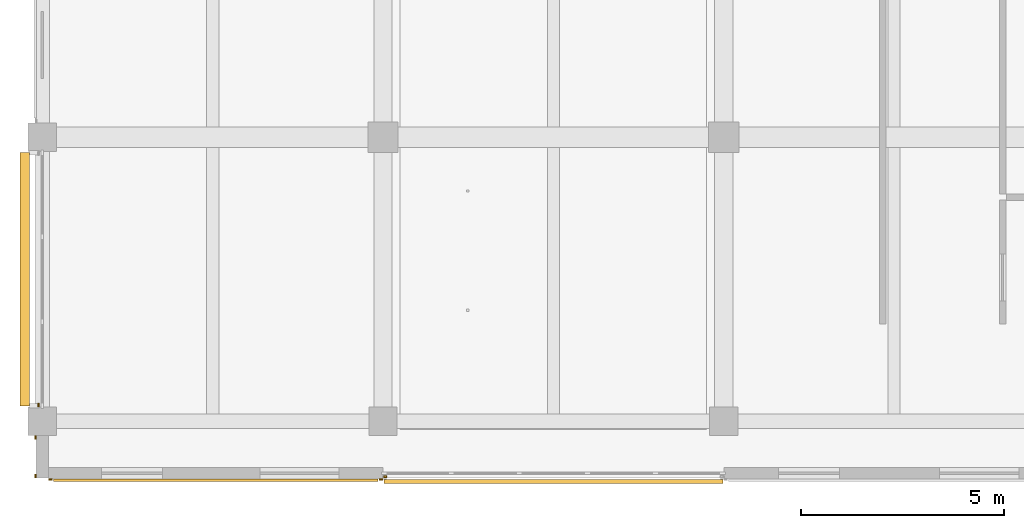
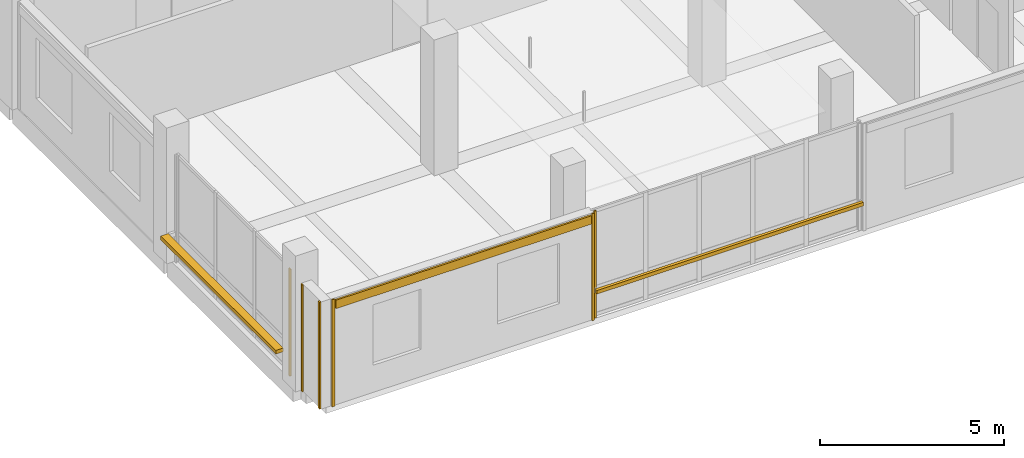
# One storey, part 22 of 35: 7 coverings, 2 shading devices.
"""IFC4 building model written with IfcOpenShell, lengths in metres."""

from ifc_helpers import new_model, si_unit, direction, frame, origin, origin_2d, place, context, subcontext, project, spatial, rectangle, extrude, material, layer, layer_set, type_object, element, save


model = new_model("IFC4")

# Units and contexts
model_context = context("Model", 3, precision=1e-05, world=origin(), true_north=direction((0.0, 1.0)))
body_context = subcontext(model_context, "Body", "Model", "MODEL_VIEW")
ifc_project = project(units=[si_unit("LENGTHUNIT", "METRE"), si_unit("AREAUNIT", "SQUARE_METRE"), si_unit("VOLUMEUNIT", "CUBIC_METRE"), si_unit("PLANEANGLEUNIT", "RADIAN"), si_unit("MASSUNIT", "GRAM", prefix="KILO")], contexts=[model_context])

# Site, building, storey
site_placement = place(None, origin())
site = spatial("IfcSite", under=ifc_project, at=site_placement, CompositionType="ELEMENT")
building_placement = place(site_placement, origin())
building = spatial("IfcBuilding", under=site, at=building_placement, Name="Telukmera Botanical Conservatory", CompositionType="ELEMENT")
storey_placement = place(building_placement, frame((0.0, 0.0, 46.5)))
storey = spatial("IfcBuildingStorey", under=building, at=storey_placement, Name="L10", CompositionType="ELEMENT", Elevation=46.5)

# Coverings
ifc_material_1 = material(Name="Granite-faced precast concrete C40/50", Category="masonry")
ifc_layer_1 = layer(ifc_material_1, 0.0400390625)
ifc_layer_set_1 = layer_set([ifc_layer_1], Name="Granite-faced precast concrete C40/50")
covering_type_1 = type_object("IfcCoveringType", Name="Granite Precast Column Pier Reveal Casing", PredefinedType="CLADDING", material=ifc_layer_set_1)
for number, where, z_axis, x_axis, name in (
    (1, (50.22998046875, 9.25, 0.0), (0.0, 0.0, 1.0), (0.0, 1.0, 0.0), "Granite Pier Reveal V4:L10:SWC L"),
    (2, (50.22998046875, 10.197998046875, 0.0), (0.0, 0.0, 1.0), (0.0, 1.0, 0.0), "Granite Pier Reveal V4:L10:SWC R"),
    (3, (50.60205078125, 9.159912109375, 0.0), (0.0, 0.0, 1.0), (1.0, 0.0, 0.0), "Granite Pier Reveal V4:L10:S1 L"),
    (4, (58.748046875, 9.159912109375, 0.0), (0.0, 0.0, 1.0), (1.0, 0.0, 0.0), "Granite Pier Reveal V4:L10:S1 R"),
    (5, (58.85205078125, 9.22998046875, 0.0), (0.0, 0.0, 1.0), (1.0, 0.0, 0.0), "Granite Pier Reveal V4:L10:S2 L"),
    (6, (50.31005859375, 11.001953125, 0.0), (0.0, 0.0, 1.0), (0.0, 1.0, 0.0), "Granite Pier Reveal V4:L10:W1 L"),
):
    element("IfcCovering", number, at=place(storey_placement, frame(where, z_axis=z_axis, x_axis=x_axis)), inside=storey, type_object=covering_type_1, Name=name, PredefinedType="CLADDING", context=body_context, shape_type="SweptSolid", body=[
        extrude(rectangle(XDim=0.080078125, YDim=0.0400390625, at=origin_2d()), origin(), (0.0, 0.0, 1.0), 3.550048828125),
    ])

# Shading devices
ifc_material_2 = material(Name="Perforated terracotta-anodised aluminium 6063-T6", Category="masonry")
ifc_layer_2 = layer(ifc_material_2, 0.044921875)
ifc_layer_set_2 = layer_set([ifc_layer_2], Name="Perforated terracotta-anodised aluminium 6063-T6")
shading_device_type = type_object("IfcShadingDeviceType", Name="Perforated Terracotta Aluminium Monsoon Brise Soleil", PredefinedType="JALOUSIE", material=ifc_layer_set_2)
shading_device_1_placement = place(storey_placement, frame((63.0, 9.114990234375, 0.889892578125), z_axis=(0.0, 0.0, 1.0), x_axis=(1.0, 0.0, 0.0)))
element("IfcShadingDevice", 7, at=shading_device_1_placement, inside=storey, type_object=shading_device_type, Name="Monsoon Shading BS01 V4:L10:S2", PredefinedType="JALOUSIE", context=body_context, shape_type="SweptSolid", body=[
    extrude(rectangle(XDim=8.35595703125, YDim=0.090087890625, at=origin_2d()), origin(), (0.0, 0.0, 1.0), 0.1201171875),
])
shading_device_2_placement = place(storey_placement, frame((49.969970703125, 14.10009765625, 0.889892578125), z_axis=(0.0, 0.0, 1.0), x_axis=(0.0, 1.0, 0.0)))
element("IfcShadingDevice", 8, at=shading_device_2_placement, inside=storey, type_object=shading_device_type, Name="Monsoon Shading BS01 V4:L10:W1", PredefinedType="JALOUSIE", context=body_context, shape_type="SweptSolid", body=[
    extrude(rectangle(XDim=6.256103515625, YDim=0.239990234375, at=origin_2d()), origin(), (0.0, 0.0, 1.0), 0.1201171875),
])

# Covering
ifc_material_3 = material(Name="Terracotta-faced precast concrete C40/50", Category="masonry")
ifc_layer_3 = layer(ifc_material_3, 0.06005859375)
ifc_layer_set_3 = layer_set([ifc_layer_3], Name="Terracotta-faced precast concrete C40/50")
covering_type_2 = type_object("IfcCoveringType", Name="Polychrome Terracotta Facade Band Cladding", PredefinedType="CLADDING", material=ifc_layer_set_3)
covering_placement = place(storey_placement, frame((54.675048828125, 9.14990234375, 3.22998046875), z_axis=(0.0, 0.0, 1.0), x_axis=(1.0, 0.0, 0.0)))
element("IfcCovering", 9, at=covering_placement, inside=storey, type_object=covering_type_2, Name="Polychrome Terracotta Band V4:L10:S1", PredefinedType="CLADDING", context=body_context, shape_type="SweptSolid", body=[
    extrude(rectangle(XDim=8.006103515625, YDim=0.06005859375, at=origin_2d()), origin(), (0.0, 0.0, 1.0), 0.280029296875),
])

save(model, "model.ifc")
